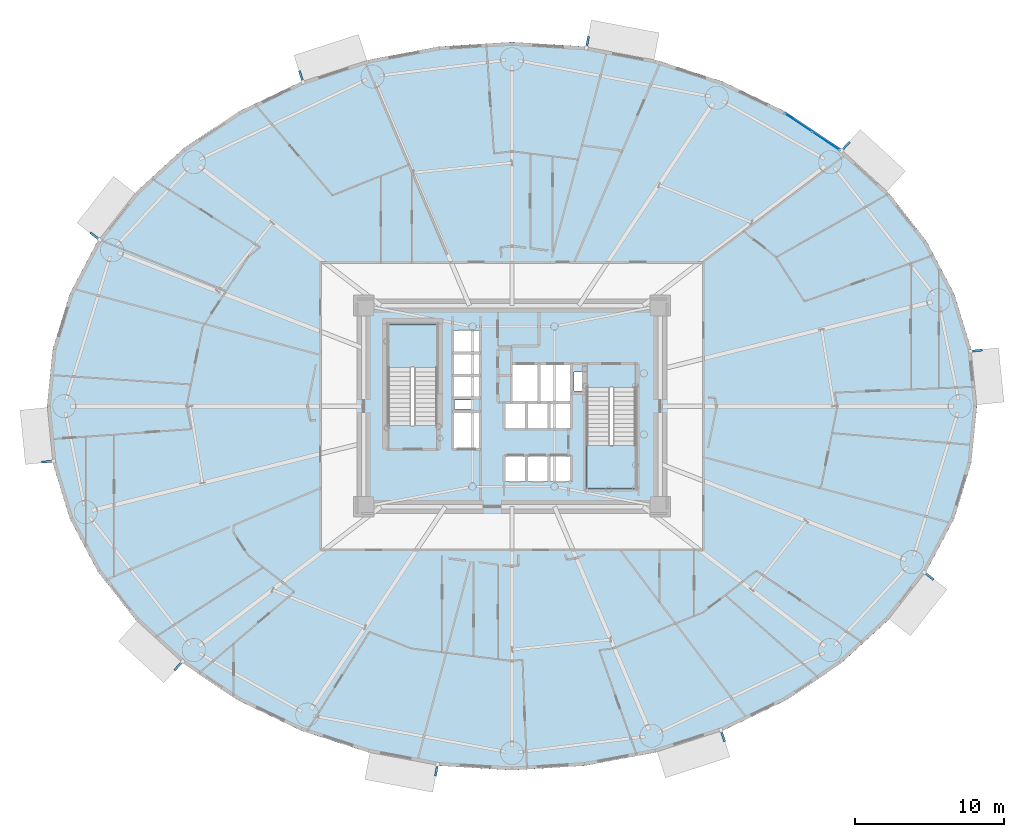
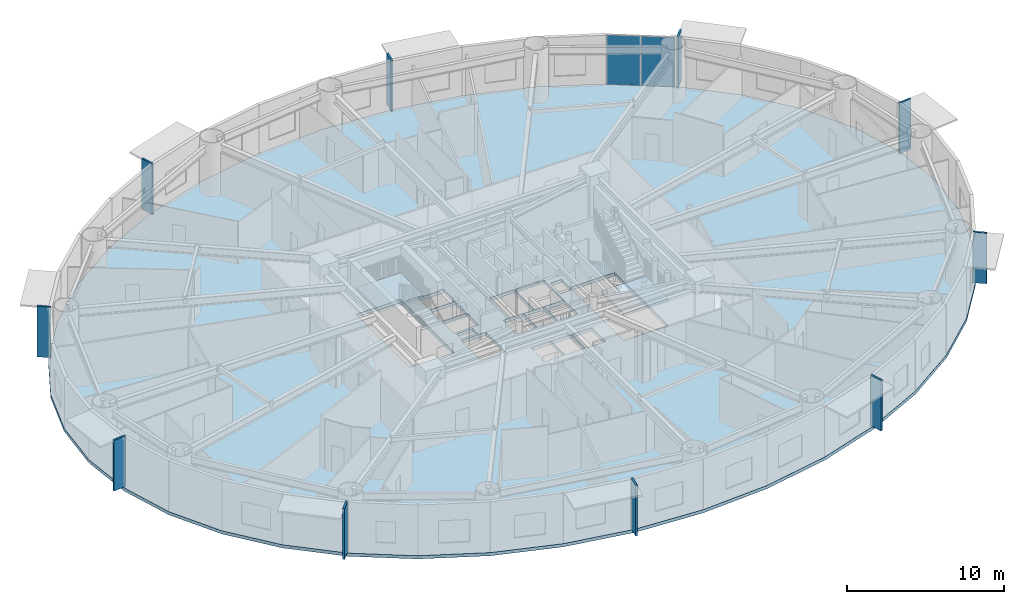
# One storey, part 6 of 24: 12 plates, 3 slabs, 3 elements without a shape of their own.
"""IFC4 building model written with IfcOpenShell, lengths in metres."""

from ifc_helpers import new_model, si_unit, direction, frame, origin, origin_2d, place, context, subcontext, project, spatial, polyline, rectangle, outline, extrude, source, transform, mapped, material, layer, layer_set, type_object, element, aggregate, save


model = new_model("IFC4")

# Units and contexts
model_context = context("Model", 3, precision=1e-05, world=origin(), true_north=direction((0.0, 1.0)))
body_context = subcontext(model_context, "Body", "Model", "MODEL_VIEW")
ifc_project = project(units=[si_unit("LENGTHUNIT", "METRE"), si_unit("AREAUNIT", "SQUARE_METRE"), si_unit("VOLUMEUNIT", "CUBIC_METRE"), si_unit("PLANEANGLEUNIT", "RADIAN"), si_unit("MASSUNIT", "GRAM", prefix="KILO")], contexts=[model_context])

# Site, building, storey
site_placement = place(None, origin())
site = spatial("IfcSite", under=ifc_project, at=site_placement, CompositionType="ELEMENT")
building_placement = place(site_placement, origin())
building = spatial("IfcBuilding", under=site, at=building_placement, Name="Linh Dai School and Residence Tower", CompositionType="ELEMENT")
storey_placement = place(building_placement, frame((0.0, 0.0, 74.39990234375)))
storey = spatial("IfcBuildingStorey", under=building, at=storey_placement, Name="L17", CompositionType="ELEMENT", Elevation=74.39990234375)

# Slab
ifc_material_1 = material(Name="Concrete B45 (C35/45)", Category="concrete")
ifc_layer_1 = layer(ifc_material_1, 0.25)
ifc_layer_set_1 = layer_set([ifc_layer_1], Name="Concrete B45 (C35/45)")
slab_type_1 = type_object("IfcSlabType", Name="SLB-FLR250", PredefinedType="FLOOR", material=ifc_layer_set_1)
slab_1_placement = place(storey_placement, frame((0.0, 0.0, -0.25)))
element("IfcSlab", 1, at=slab_1_placement, inside=storey, type_object=slab_type_1, Name="L17 Composite Structural Floor Slab", PredefinedType="FLOOR", context=body_context, shape_type="SweptSolid", body=[
    extrude(outline(polyline([(67.199951171875, 27.0), (66.81591796875, 30.82177734375), (65.6728515625, 34.54931640625), (63.79931640625, 38.091064453125), (61.2412109375, 41.359619140625), (58.061767578125, 44.274658203125), (54.3388671875, 46.764404296875), (50.16455078125, 48.767333984375), (45.641357421875, 50.234375), (40.880859375, 51.129150390625), (36.0, 51.429931640625), (31.119140625, 51.129150390625), (26.358642578125, 50.234375), (21.83544921875, 48.767333984375), (17.6611328125, 46.764404296875), (13.938232421875, 44.274658203125), (10.7587890625, 41.359619140625), (8.20068359375, 38.091064453125), (6.3271484375, 34.54931640625), (5.18408203125, 30.82177734375), (4.800048828125, 27.0), (5.18408203125, 23.17822265625), (6.3271484375, 19.45068359375), (8.20068359375, 15.908935546875), (10.7587890625, 12.640380859375), (13.938232421875, 9.725341796875), (17.6611328125, 7.235595703125), (21.83544921875, 5.232666015625), (26.358642578125, 3.765625), (31.119140625, 2.870849609375), (36.0, 2.570068359375), (40.880859375, 2.870849609375), (45.641357421875, 3.765625), (50.16455078125, 5.232666015625), (54.3388671875, 7.235595703125), (58.061767578125, 9.725341796875), (61.2412109375, 12.640380859375), (63.79931640625, 15.908935546875), (65.6728515625, 19.45068359375), (66.81591796875, 23.17822265625), (67.199951171875, 27.0)]), holes=[polyline([(30.97998046875, 25.699951171875), (30.97998046875, 32.5), (27.679931640625, 32.5), (27.679931640625, 25.699951171875), (30.97998046875, 25.699951171875)]), polyline([(41.02001953125, 28.25), (41.02001953125, 21.449951171875), (44.320068359375, 21.449951171875), (44.320068359375, 28.25), (41.02001953125, 28.25)]), polyline([(35.97998046875, 27.280029296875), (37.77001953125, 27.280029296875), (37.77001953125, 29.820068359375), (35.97998046875, 29.820068359375), (35.97998046875, 27.280029296875)]), polyline([(32.030029296875, 24.1298828125), (33.8701171875, 24.1298828125), (33.8701171875, 26.6201171875), (32.030029296875, 26.6201171875), (32.030029296875, 24.1298828125)]), polyline([(37.830078125, 27.280029296875), (39.969970703125, 27.280029296875), (39.969970703125, 29.820068359375), (37.830078125, 29.820068359375), (37.830078125, 27.280029296875)]), polyline([(35.47998046875, 21.929931640625), (36.929931640625, 21.929931640625), (36.929931640625, 23.669921875), (35.47998046875, 23.669921875), (35.47998046875, 21.929931640625)]), polyline([(36.989990234375, 21.929931640625), (38.449951171875, 21.929931640625), (38.449951171875, 23.669921875), (36.989990234375, 23.669921875), (36.989990234375, 21.929931640625)]), polyline([(38.510009765625, 21.929931640625), (39.969970703125, 21.929931640625), (39.969970703125, 23.669921875), (38.510009765625, 23.669921875), (38.510009765625, 21.929931640625)]), polyline([(32.030029296875, 27.580078125), (33.8701171875, 27.580078125), (33.8701171875, 29.030029296875), (32.030029296875, 29.030029296875), (32.030029296875, 27.580078125)]), polyline([(32.030029296875, 29.090087890625), (33.8701171875, 29.090087890625), (33.8701171875, 30.550048828125), (32.030029296875, 30.550048828125), (32.030029296875, 29.090087890625)]), polyline([(32.030029296875, 30.610107421875), (33.8701171875, 30.610107421875), (33.8701171875, 32.070068359375), (32.030029296875, 32.070068359375), (32.030029296875, 30.610107421875)]), polyline([(35.47998046875, 25.47998046875), (36.929931640625, 25.47998046875), (36.929931640625, 27.219970703125), (35.47998046875, 27.219970703125), (35.47998046875, 25.47998046875)]), polyline([(36.989990234375, 25.47998046875), (38.449951171875, 25.47998046875), (38.449951171875, 27.219970703125), (36.989990234375, 27.219970703125), (36.989990234375, 25.47998046875)]), polyline([(38.510009765625, 25.47998046875), (39.969970703125, 25.47998046875), (39.969970703125, 27.219970703125), (38.510009765625, 27.219970703125), (38.510009765625, 25.47998046875)]), polyline([(40.14990234375, 28.0), (40.14990234375, 29.300048828125), (41.0, 29.300048828125), (41.0, 28.280029296875), (40.989990234375, 28.280029296875), (40.989990234375, 28.0), (40.14990234375, 28.0)]), polyline([(32.14990234375, 26.800048828125), (33.35009765625, 26.800048828125), (33.35009765625, 27.39990234375), (32.14990234375, 27.39990234375), (32.14990234375, 26.800048828125)])]), origin(), (0.0, 0.0, 1.0), 0.25),
])

# Stair, slab
stair_type = type_object("IfcStairType", Name="ST-DOG-1550-R1500", PredefinedType="HALF_TURN_STAIR", material=ifc_material_1)
stair_1_placement = place(storey_placement, origin())
stair_1 = element("IfcStair", 2, at=stair_1_placement, inside=storey, type_object=stair_type, Name="L17 Core Smokeproof Exit Stair ST1", PredefinedType="HALF_TURN_STAIR")
ifc_layer_2 = layer(ifc_material_1, 0.199951171875)
ifc_layer_set_2 = layer_set([ifc_layer_2], Name="Concrete B45 (C35/45)")
slab_type_2 = type_object("IfcSlabType", Name="SLB-ST-LANDING-200", PredefinedType="LANDING", material=ifc_layer_set_2)
slab_2_placement = place(storey_placement, frame((0.0, 0.0, 1.900146484375)))
slab_2 = element("IfcSlab", 3, at=slab_2_placement, type_object=slab_type_2, Name="ST1 landing 1", PredefinedType="LANDING", context=body_context, shape_type="SweptSolid", body=[
    extrude(outline(polyline([(30.97998046875, 29.60009765625), (30.97998046875, 32.5), (27.679931640625, 32.5), (27.679931640625, 29.60009765625), (30.97998046875, 29.60009765625)])), origin(), (0.0, 0.0, 1.0), 0.199951171875),
])
aggregate(stair_1, [slab_2])

stair_2_placement = place(storey_placement, origin())
stair_2 = element("IfcStair", 4, at=stair_2_placement, inside=storey, type_object=stair_type, Name="L17 Core Smokeproof Exit Stair ST2", PredefinedType="HALF_TURN_STAIR")
slab_3_placement = place(storey_placement, frame((0.0, 0.0, 1.900146484375)))
slab_3 = element("IfcSlab", 5, at=slab_3_placement, type_object=slab_type_2, Name="ST2 landing 1", PredefinedType="LANDING", context=body_context, shape_type="SweptSolid", body=[
    extrude(outline(polyline([(41.02001953125, 24.35009765625), (41.02001953125, 21.449951171875), (44.320068359375, 21.449951171875), (44.320068359375, 24.35009765625), (41.02001953125, 24.35009765625)])), origin(), (0.0, 0.0, 1.0), 0.199951171875),
])
aggregate(stair_2, [slab_3])

# Plates
ifc_material_2 = material(Name="Precast Concrete B45 (C35/45)", Category="concrete")
ifc_layer_3 = layer(ifc_material_2, 0.139892578125)
ifc_layer_set_3 = layer_set([ifc_layer_3], Name="Precast Concrete B45 (C35/45)")
plate_type_1 = type_object("IfcPlateType", Name="FIN-TC-900x140", PredefinedType="USERDEFINED", material=ifc_layer_set_3)
shared_shape_1 = source(origin(), body_context, "Body", "SweptSolid", [
    extrude(rectangle(XDim=0.89990234375, YDim=0.139892578125, at=origin_2d()), origin(), (0.0, 0.0, 1.0), 3.949951171875),
])
for number, where, z_axis, x_axis, name in (
    (6, (67.11328125, 30.718505859375, 0.0), (0.0, 0.0, 1.0), (0.994986493533, 0.100009387998, 0.0), "L17 Precast Terracotta Radial Fin 01"),
    (7, (58.35009765625, 44.397216796875, 0.0), (0.0, 0.0, 1.0), (0.675769237268, 0.737113246362, 0.0), "L17 Precast Terracotta Radial Fin 05"),
    (8, (41.05908203125, 51.385986328125, 0.0), (0.0, 0.0, 1.0), (0.184747948944, 0.982785935675, 0.0), "L17 Precast Terracotta Radial Fin 09"),
    (9, (21.869384765625, 49.078125, 0.0), (0.0, 0.0, 1.0), (-0.308510993844, 0.951220777043, 0.0), "L17 Precast Terracotta Radial Fin 13"),
    (10, (8.056396484375, 38.3701171875, 0.0), (0.0, 0.0, 1.0), (-0.787496262172, 0.616319427785, 0.0), "L17 Precast Terracotta Radial Fin 17"),
    (11, (4.88671875, 23.281494140625, 0.0), (0.0, 0.0, 1.0), (-0.994986493533, -0.100009387998, 0.0), "L17 Precast Terracotta Radial Fin 21"),
    (12, (13.64990234375, 9.602783203125, 0.0), (0.0, 0.0, 1.0), (-0.675769237268, -0.737113246362, 0.0), "L17 Precast Terracotta Radial Fin 25"),
    (13, (30.94091796875, 2.614013671875, 0.0), (0.0, 0.0, 1.0), (-0.184747948944, -0.982785935675, 0.0), "L17 Precast Terracotta Radial Fin 29"),
    (14, (50.130615234375, 4.921875, 0.0), (0.0, 0.0, 1.0), (0.308510993844, -0.951220777043, 0.0), "L17 Precast Terracotta Radial Fin 33"),
    (15, (63.943603515625, 15.6298828125, 0.0), (0.0, 0.0, 1.0), (0.787496262172, -0.616319427785, 0.0), "L17 Precast Terracotta Radial Fin 37"),
):
    element("IfcPlate", number, at=place(storey_placement, frame(where, z_axis=z_axis, x_axis=x_axis)), inside=storey, type_object=plate_type_1, Name=name, ObjectType="RADIAL FIN", PredefinedType="USERDEFINED", context=body_context, shape_type="MappedRepresentation", body=[
        mapped(shared_shape_1, transform((0.0, 0.0, 0.0), x_axis=(1.0, 0.0, 0.0), y_axis=(0.0, 1.0, 0.0), z_axis=(0.0, 0.0, 1.0), scale=1.0)),
    ])

# Curtain wall, plates
ifc_material_3 = material(Name="Aluminium Anodised Curtain Wall", Category="aluminium")
ifc_layer_4 = layer(ifc_material_3, 0.14990234375)
ifc_layer_set_4 = layer_set([ifc_layer_4], Name="Aluminium Anodised Curtain Wall")
curtain_wall_type = type_object("IfcCurtainWallType", Name="CW-SYS-4", PredefinedType="USERDEFINED", material=ifc_layer_set_4)
curtain_wall_placement = place(storey_placement, origin())
curtain_wall = element("IfcCurtainWall", 16, at=curtain_wall_placement, inside=storey, type_object=curtain_wall_type, Name="L17 CW4 Curtain Wall 06", ObjectType="RIBBON CURTAIN WALL", PredefinedType="USERDEFINED")
ifc_material_4 = material(Name="Double Low-E Insulated Glazing", Category="glass")
ifc_layer_5 = layer(ifc_material_4, 0.02587890625)
ifc_layer_set_5 = layer_set([ifc_layer_5], Name="Double Low-E Insulated Glazing")
plate_type_2 = type_object("IfcPlateType", Name="CW-SYS-4-PAN", PredefinedType="CURTAIN_PANEL", material=ifc_layer_set_5)
shared_shape_2 = source(origin(), body_context, "Body", "SweptSolid", [
    extrude(rectangle(XDim=2.152099609375, YDim=0.02587890625, at=origin_2d()), origin(), (0.0, 0.0, 1.0), 3.845947265625),
])
plate_1_placement = place(storey_placement, frame((55.21484375, 46.028564453125, 0.05224609375), z_axis=(0.0, 0.0, 1.0), x_axis=(0.831250578927, -0.555897899828, 0.0)))
plate_1 = element("IfcPlate", 17, at=plate_1_placement, type_object=plate_type_2, Name="CW4 panel 1.1", PredefinedType="CURTAIN_PANEL", context=body_context, shape_type="MappedRepresentation", body=[
    mapped(shared_shape_2, transform((0.0, 0.0, 0.0), x_axis=(1.0, 0.0, 0.0), y_axis=(0.0, 1.0, 0.0), z_axis=(0.0, 0.0, 1.0), scale=1.0)),
])
plate_2_placement = place(storey_placement, frame((57.046875, 44.80322265625, 0.05224609375), z_axis=(0.0, 0.0, 1.0), x_axis=(0.831250578927, -0.555897899828, 0.0)))
plate_2 = element("IfcPlate", 18, at=plate_2_placement, type_object=plate_type_2, Name="CW4 panel 2.1", PredefinedType="CURTAIN_PANEL", context=body_context, shape_type="MappedRepresentation", body=[
    mapped(shared_shape_2, transform((0.0, 0.0, 0.0), x_axis=(1.0, 0.0, 0.0), y_axis=(0.0, 1.0, 0.0), z_axis=(0.0, 0.0, 1.0), scale=1.0)),
])
aggregate(curtain_wall, [plate_1, plate_2])

save(model, "model.ifc")
